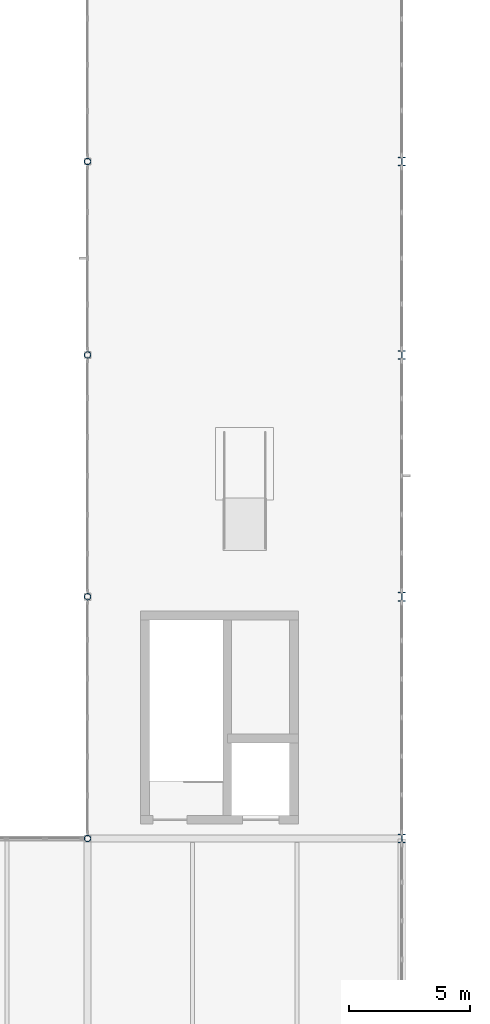
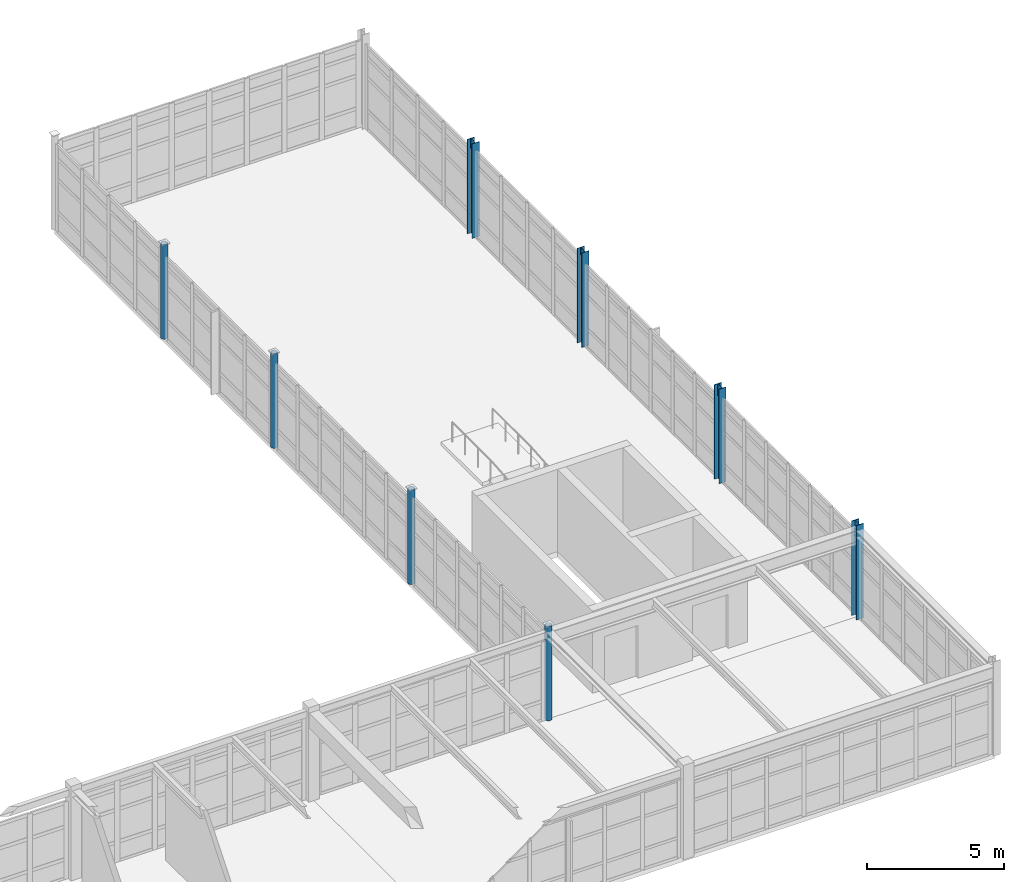
# One storey, part 12 of 122: 8 columns.
"""IFC4 building model written with IfcOpenShell, lengths in metres."""

from ifc_helpers import new_model, si_unit, direction, frame, origin, origin_2d, place, context, subcontext, project, spatial, hollow_circle, i_section, extrude, material, material_profile, profile_set, type_object, element, save


model = new_model("IFC4")

# Units and contexts
model_context = context("Model", 3, precision=1e-05, world=origin(), true_north=direction((0.0, 1.0)))
body_context = subcontext(model_context, "Body", "Model", "MODEL_VIEW")
ifc_project = project(units=[si_unit("LENGTHUNIT", "METRE"), si_unit("AREAUNIT", "SQUARE_METRE"), si_unit("VOLUMEUNIT", "CUBIC_METRE"), si_unit("PLANEANGLEUNIT", "RADIAN"), si_unit("MASSUNIT", "GRAM", prefix="KILO"), si_unit("THERMODYNAMICTEMPERATUREUNIT", "KELVIN"), si_unit("POWERUNIT", "WATT")], contexts=[model_context])

# Site, building, storey
site_placement = place(None, origin())
site = spatial("IfcSite", under=ifc_project, at=site_placement, CompositionType="ELEMENT")
building_placement = place(site_placement, origin())
building = spatial("IfcBuilding", under=site, at=building_placement, Name="Korenveer Ferry Terminal", CompositionType="ELEMENT")
storey_placement = place(building_placement, frame((0.0, 0.0, 10.199951171875)))
storey = spatial("IfcBuildingStorey", under=building, at=storey_placement, Name="L02", CompositionType="ELEMENT", Elevation=10.199951171875)

# Columns
ifc_material = material(Name="Steel S355", Category="steel")
ifc_material_profile_1 = material_profile(ifc_material, hollow_circle(Radius=0.136474609375, WallThickness=0.012451171875, at=origin_2d()), Name="CHS 273x12.5")
ifc_profile_set_1 = profile_set([ifc_material_profile_1], Name="Steel S355")
column_type_1 = type_object("IfcColumnType", Name="STR-COL-CHS273", PredefinedType="COLUMN", material=ifc_profile_set_1)
for number, where, z_axis, x_axis, name in (
    (1, (40.0, 80.0, 0.0), (0.0, 0.0, 1.0), (1.0, 0.0, 0.0), "Column COL-L02-X40-Y80"),
    (2, (40.0, 90.0, 0.0), (0.0, 0.0, 1.0), (1.0, 0.0, 0.0), "Column COL-L02-X40-Y90"),
    (3, (40.0, 100.0, 0.0), (0.0, 0.0, 1.0), (1.0, 0.0, 0.0), "Column COL-L02-X40-Y100"),
    (4, (40.0, 108.0, 0.0), (0.0, 0.0, 1.0), (1.0, 0.0, 0.0), "Column COL-L02-X40-Y108"),
):
    element("IfcColumn", number, at=place(storey_placement, frame(where, z_axis=z_axis, x_axis=x_axis)), inside=storey, type_object=column_type_1, Name=name, PredefinedType="COLUMN", context=body_context, shape_type="SweptSolid", body=[
        extrude(hollow_circle(Radius=0.136474609375, WallThickness=0.012451171875, at=origin_2d()), origin(), (0.0, 0.0, 1.0), 4.199951171875),
    ])
ifc_material_profile_2 = material_profile(ifc_material, i_section(OverallWidth=0.300048828125, OverallDepth=0.360107421875, WebThickness=0.012451171875, FlangeThickness=0.0224609375, FilletRadius=0.027099609375, at=origin_2d()), Name="HEB 360")
ifc_profile_set_2 = profile_set([ifc_material_profile_2], Name="Steel S355")
column_type_2 = type_object("IfcColumnType", Name="STR-COL-HEB360", PredefinedType="COLUMN", material=ifc_profile_set_2)
for number, where, z_axis, x_axis, name in (
    (5, (53.0, 80.0, 0.0), (0.0, 0.0, 1.0), (1.0, 0.0, 0.0), "Column COL-L02-X53-Y80"),
    (6, (53.0, 90.0, 0.0), (0.0, 0.0, 1.0), (1.0, 0.0, 0.0), "Column COL-L02-X53-Y90"),
    (7, (53.0, 100.0, 0.0), (0.0, 0.0, 1.0), (1.0, 0.0, 0.0), "Column COL-L02-X53-Y100"),
    (8, (53.0, 108.0, 0.0), (0.0, 0.0, 1.0), (1.0, 0.0, 0.0), "Column COL-L02-X53-Y108"),
):
    element("IfcColumn", number, at=place(storey_placement, frame(where, z_axis=z_axis, x_axis=x_axis)), inside=storey, type_object=column_type_2, Name=name, PredefinedType="COLUMN", context=body_context, shape_type="SweptSolid", body=[
        extrude(i_section(OverallWidth=0.300048828125, OverallDepth=0.360107421875, WebThickness=0.012451171875, FlangeThickness=0.0224609375, FilletRadius=0.027099609375, at=origin_2d()), origin(), (0.0, 0.0, 1.0), 4.199951171875),
    ])

save(model, "model.ifc")
